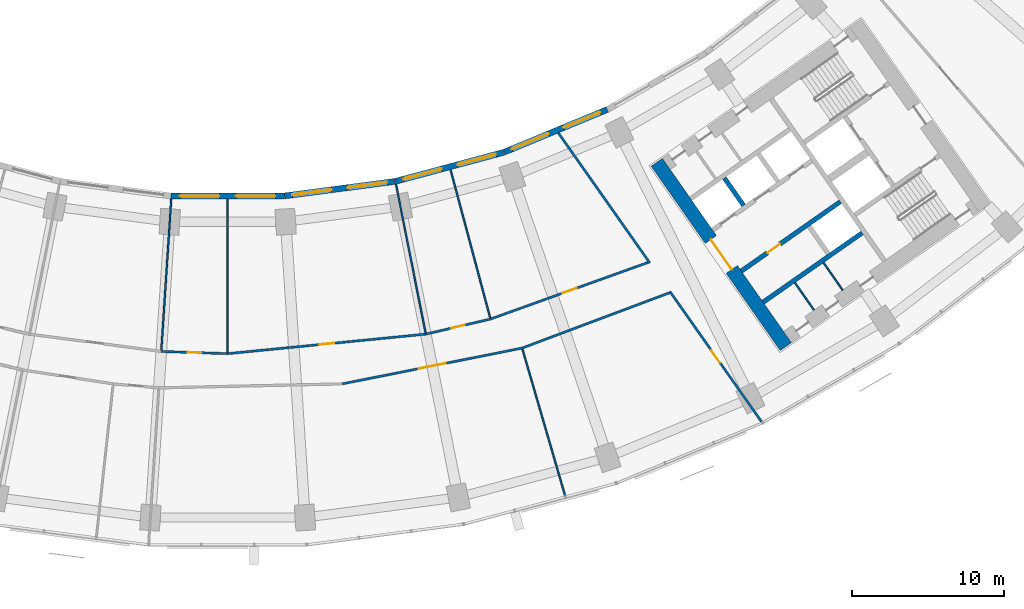
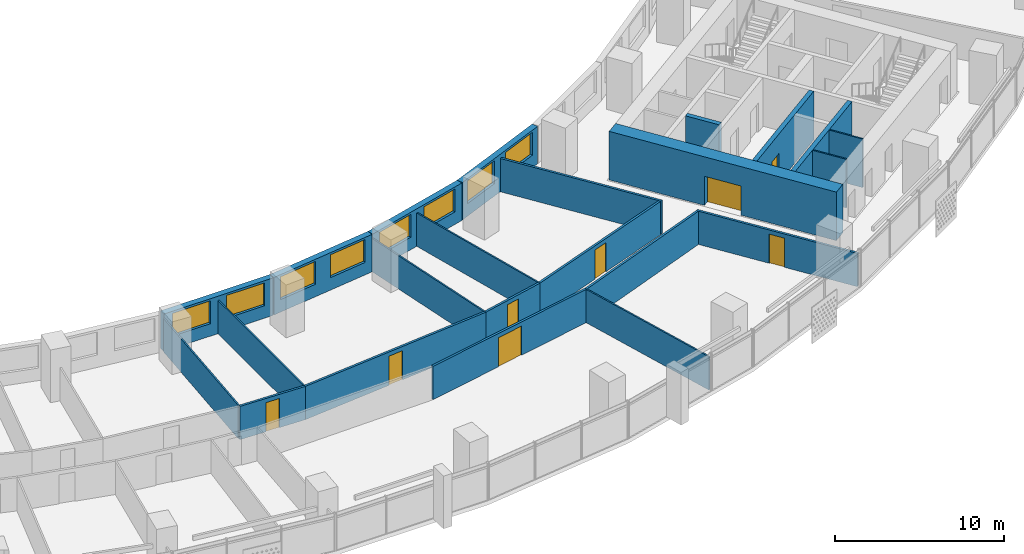
# One storey, part 6 of 29: 23 walls, 8 doors, 8 windows, 16 openings.
"""IFC4 building model written with IfcOpenShell, lengths in metres."""

from ifc_helpers import new_model, si_unit, direction, frame, frame_2d, origin, place, context, subcontext, project, spatial, rectangle, extrude, material, layer, layer_set, type_object, element, fill, save


model = new_model("IFC4")

# Units and contexts
model_context = context("Model", 3, precision=1e-05, world=origin(), true_north=direction((0.0, 1.0)))
body_context = subcontext(model_context, "Body", "Model", "MODEL_VIEW")
ifc_project = project(units=[si_unit("LENGTHUNIT", "METRE"), si_unit("AREAUNIT", "SQUARE_METRE"), si_unit("VOLUMEUNIT", "CUBIC_METRE"), si_unit("PLANEANGLEUNIT", "RADIAN"), si_unit("MASSUNIT", "GRAM", prefix="KILO")], contexts=[model_context])

# Site, building, storey
site_placement = place(None, origin())
site = spatial("IfcSite", under=ifc_project, at=site_placement, CompositionType="ELEMENT")
building_placement = place(site_placement, origin())
building = spatial("IfcBuilding", under=site, at=building_placement, Name="Qamariyya Broadcast Tower", CompositionType="ELEMENT")
storey_placement = place(building_placement, frame((0.0, 0.0, 44.300048828125)))
storey = spatial("IfcBuildingStorey", under=building, at=storey_placement, Name="L07", CompositionType="ELEMENT", Elevation=44.300048828125)

# Wall, opening, door
ifc_material_1 = material(Name="Concrete C70/85", Category="concrete")
ifc_layer_1 = layer(ifc_material_1, 0.89990234375)
ifc_layer_set_1 = layer_set([ifc_layer_1], Name="Core wall 900 mm Concrete C70/85")
wall_type_1 = type_object("IfcWallType", Name="Core wall 900 mm Concrete C70/85", PredefinedType="SHEAR", material=ifc_layer_set_1)
wall_1_placement = place(storey_placement, frame((36.716796875, -66.3369140625, 0.0), z_axis=(0.0, 0.0, 1.0), x_axis=(-0.573577477574, 0.819151315216, 0.0)))
wall_1 = element("IfcWall", 1, at=wall_1_placement, inside=storey, type_object=wall_type_1, Name="k-E-L07-WA", PredefinedType="SHEAR", context=body_context, shape_type="SweptSolid", body=[
    extrude(rectangle(XDim=14.800048828125, YDim=0.89990234375, at=frame_2d((7.39990234375, 0.0))), origin(), (0.0, 0.0, 1.0), 3.5),
])
opening_1_placement = place(wall_1_placement, frame((6.199951171875, 0.0, 0.0)))
opening_1 = element("IfcOpeningElement", 2, at=opening_1_placement, cuts=wall_1, Name="Opening KD3-E1", PredefinedType="OPENING", context=body_context, shape_type="SweptSolid", body=[
    extrude(rectangle(XDim=2.39990234375, YDim=2.10009765625, at=frame_2d((1.199951171875, 1.050048828125))), frame((0.0, 0.4599609375, 0.0), z_axis=(0.0, -1.0, 0.0), x_axis=(1.0, 0.0, 0.0)), (0.0, 0.0, 1.0), 0.919921875),
])
ifc_material_2 = material(Name="Steel fire-resisting door leaf", Category="steel")
door_type_1 = type_object("IfcDoorType", Name="Lift lobby door KD3", OperationType="DOUBLE_DOOR_SINGLE_SWING", PredefinedType="DOOR", material=ifc_material_2)
door_1_placement = place(opening_1_placement, origin())
door_1 = element("IfcDoor", 3, at=door_1_placement, inside=storey, type_object=door_type_1, Name="k-E-L07-WA-D1", OperationType="DOUBLE_DOOR_SINGLE_SWING", OverallHeight=2.10009765625, OverallWidth=2.39990234375, PredefinedType="DOOR", context=body_context, shape_type="SweptSolid", body=[
    extrude(rectangle(XDim=2.39990234375, YDim=2.10009765625, at=frame_2d((1.199951171875, 1.050048828125))), frame((0.0, 0.02490234375, 0.0), z_axis=(0.0, -1.0, 0.0), x_axis=(1.0, 0.0, 0.0)), (0.0, 0.0, 1.0), 0.050048828125),
])
fill(opening_1, door_1)

ifc_material_3 = material(Name="Gypsum board partition")
ifc_layer_2 = layer(ifc_material_3, 0.14990234375)
ifc_layer_set_2 = layer_set([ifc_layer_2], Name="Corridor partition 150 EI 60")
wall_type_2 = type_object("IfcWallType", Name="Corridor partition 150 EI 60", PredefinedType="PARTITIONING", material=ifc_layer_set_2)
wall_2_placement = place(storey_placement, frame((-4.368896484375, -66.656982421875, 0.0), z_axis=(0.0, 0.0, 1.0), x_axis=(0.99946426167, -0.03272903366, 0.0)))
wall_2 = element("IfcWall", 4, at=wall_2_placement, inside=storey, type_object=wall_type_2, Name="Partition L07-020", PredefinedType="PARTITIONING", context=body_context, shape_type="SweptSolid", body=[
    extrude(rectangle(XDim=4.371337890625, YDim=0.14990234375, at=frame_2d((2.185546875, 0.0))), origin(), (0.0, 0.0, 1.0), 2.39990234375),
])
opening_2_placement = place(wall_2_placement, frame((1.735595703125, 0.0, 0.0)))
opening_2 = element("IfcOpeningElement", 5, at=opening_2_placement, cuts=wall_2, Name="Opening L07-D11", PredefinedType="OPENING", context=body_context, shape_type="SweptSolid", body=[
    extrude(rectangle(XDim=0.89990234375, YDim=2.10009765625, at=frame_2d((0.449951171875, 1.050048828125))), frame((0.0, 0.0849609375, 0.0), z_axis=(0.0, -1.0, 0.0), x_axis=(1.0, 0.0, 0.0)), (0.0, 0.0, 1.0), 0.169921875),
])
ifc_material_4 = material(Name="Timber fire door leaf", Category="wood")
door_type_2 = type_object("IfcDoorType", Name="Fire door 900 x 2100 FD60", OperationType="NOTDEFINED", PredefinedType="DOOR", material=ifc_material_4)
door_2_placement = place(opening_2_placement, origin())
door_2 = element("IfcDoor", 6, at=door_2_placement, inside=storey, type_object=door_type_2, Name="Door L07-D11", OperationType="SINGLE_SWING_RIGHT", OverallHeight=2.10009765625, OverallWidth=0.89990234375, PredefinedType="DOOR", context=body_context, shape_type="SweptSolid", body=[
    extrude(rectangle(XDim=0.89990234375, YDim=2.10009765625, at=frame_2d((0.449951171875, 1.050048828125))), frame((0.0, 0.02490234375, 0.0), z_axis=(0.0, -1.0, 0.0), x_axis=(1.0, 0.0, 0.0)), (0.0, 0.0, 1.0), 0.050048828125),
])
fill(opening_2, door_2)

wall_3_placement = place(storey_placement, frame((0.0, -66.800048828125, 0.0), z_axis=(0.0, 0.0, 1.0), x_axis=(0.995183585648, 0.098028724655, 0.0)))
wall_3 = element("IfcWall", 7, at=wall_3_placement, inside=storey, type_object=wall_type_2, Name="Partition L07-022", PredefinedType="PARTITIONING", context=body_context, shape_type="SweptSolid", body=[
    extrude(rectangle(XDim=13.094970703125, YDim=0.14990234375, at=frame_2d((6.54736328125, 0.0))), origin(), (0.0, 0.0, 1.0), 2.39990234375),
])
opening_3_placement = place(wall_3_placement, frame((6.047607421875, 0.0, 0.0)))
opening_3 = element("IfcOpeningElement", 8, at=opening_3_placement, cuts=wall_3, Name="Opening L07-D12", PredefinedType="OPENING", context=body_context, shape_type="SweptSolid", body=[
    extrude(rectangle(XDim=1.0, YDim=2.10009765625, at=frame_2d((0.5, 1.050048828125))), frame((0.0, 0.0849609375, 0.0), z_axis=(0.0, -1.0, 0.0), x_axis=(1.0, 0.0, 0.0)), (0.0, 0.0, 1.0), 0.169921875),
])
door_type_3 = type_object("IfcDoorType", Name="Fire door 1000 x 2100 FD60", OperationType="NOTDEFINED", PredefinedType="DOOR", material=ifc_material_4)
door_3_placement = place(opening_3_placement, origin())
door_3 = element("IfcDoor", 9, at=door_3_placement, inside=storey, type_object=door_type_3, Name="Door L07-D12", OperationType="SINGLE_SWING_RIGHT", OverallHeight=2.10009765625, OverallWidth=1.0, PredefinedType="DOOR", context=body_context, shape_type="SweptSolid", body=[
    extrude(rectangle(XDim=1.0, YDim=2.10009765625, at=frame_2d((0.5, 1.050048828125))), frame((0.0, 0.02490234375, 0.0), z_axis=(0.0, -1.0, 0.0), x_axis=(1.0, 0.0, 0.0)), (0.0, 0.0, 1.0), 0.050048828125),
])
fill(opening_3, door_3)

wall_4_placement = place(storey_placement, frame((19.365966796875, -66.434814453125, 0.0), z_axis=(0.0, 0.0, 1.0), x_axis=(-0.9807826476, -0.195103557544, 0.0)))
wall_4 = element("IfcWall", 10, at=wall_4_placement, inside=storey, type_object=wall_type_2, Name="Partition L07-024", PredefinedType="PARTITIONING", context=body_context, shape_type="SweptSolid", body=[
    extrude(rectangle(XDim=12.056640625, YDim=0.14990234375, at=frame_2d((6.0283203125, 0.0))), origin(), (0.0, 0.0, 1.0), 2.39990234375),
])
opening_4_placement = place(wall_4_placement, frame((5.12841796875, 0.0, 0.0)))
opening_4 = element("IfcOpeningElement", 11, at=opening_4_placement, cuts=wall_4, Name="Opening L07-D06", PredefinedType="OPENING", context=body_context, shape_type="SweptSolid", body=[
    extrude(rectangle(XDim=1.800048828125, YDim=2.10009765625, at=frame_2d((0.89990234375, 1.050048828125))), frame((0.0, 0.0849609375, 0.0), z_axis=(0.0, -1.0, 0.0), x_axis=(1.0, 0.0, 0.0)), (0.0, 0.0, 1.0), 0.169921875),
])
door_type_4 = type_object("IfcDoorType", Name="Double fire door 1800 x 2100 FD60", OperationType="NOTDEFINED", PredefinedType="DOOR", material=ifc_material_4)
door_4_placement = place(opening_4_placement, origin())
door_4 = element("IfcDoor", 12, at=door_4_placement, inside=storey, type_object=door_type_4, Name="Door L07-D06", OperationType="DOUBLE_DOOR_SINGLE_SWING", OverallHeight=2.10009765625, OverallWidth=1.800048828125, PredefinedType="DOOR", context=body_context, shape_type="SweptSolid", body=[
    extrude(rectangle(XDim=1.800048828125, YDim=2.10009765625, at=frame_2d((0.89990234375, 1.050048828125))), frame((0.0, 0.02490234375, 0.0), z_axis=(0.0, -1.0, 0.0), x_axis=(1.0, 0.0, 0.0)), (0.0, 0.0, 1.0), 0.050048828125),
])
fill(opening_4, door_4)

wall_5_placement = place(storey_placement, frame((13.031982421875, -65.516357421875, 0.0), z_axis=(0.0, 0.0, 1.0), x_axis=(0.973886095728, 0.227037161159, 0.0)))
wall_5 = element("IfcWall", 13, at=wall_5_placement, inside=storey, type_object=wall_type_2, Name="Partition L07-026", PredefinedType="PARTITIONING", context=body_context, shape_type="SweptSolid", body=[
    extrude(rectangle(XDim=4.371337890625, YDim=0.14990234375, at=frame_2d((2.185546875, 0.0))), origin(), (0.0, 0.0, 1.0), 2.39990234375),
])
opening_5_placement = place(wall_5_placement, frame((1.735595703125, 0.0, 0.0)))
opening_5 = element("IfcOpeningElement", 14, at=opening_5_placement, cuts=wall_5, Name="Opening L07-D13", PredefinedType="OPENING", context=body_context, shape_type="SweptSolid", body=[
    extrude(rectangle(XDim=0.89990234375, YDim=2.10009765625, at=frame_2d((0.449951171875, 1.050048828125))), frame((0.0, 0.0849609375, 0.0), z_axis=(0.0, -1.0, 0.0), x_axis=(1.0, 0.0, 0.0)), (0.0, 0.0, 1.0), 0.169921875),
])
door_5_placement = place(opening_5_placement, origin())
door_5 = element("IfcDoor", 15, at=door_5_placement, inside=storey, type_object=door_type_2, Name="Door L07-D13", OperationType="SINGLE_SWING_RIGHT", OverallHeight=2.10009765625, OverallWidth=0.89990234375, PredefinedType="DOOR", context=body_context, shape_type="SweptSolid", body=[
    extrude(rectangle(XDim=0.89990234375, YDim=2.10009765625, at=frame_2d((0.449951171875, 1.050048828125))), frame((0.0, 0.02490234375, 0.0), z_axis=(0.0, -1.0, 0.0), x_axis=(1.0, 0.0, 0.0)), (0.0, 0.0, 1.0), 0.050048828125),
])
fill(opening_5, door_5)

wall_6_placement = place(storey_placement, frame((17.2890625, -64.52392578125, 0.0), z_axis=(0.0, 0.0, 1.0), x_axis=(0.941106453562, 0.338110400705, 0.0)))
wall_6 = element("IfcWall", 16, at=wall_6_placement, inside=storey, type_object=wall_type_2, Name="Partition L07-028", PredefinedType="PARTITIONING", context=body_context, shape_type="SweptSolid", body=[
    extrude(rectangle(XDim=11.015869140625, YDim=0.14990234375, at=frame_2d((5.5078125, 0.0))), origin(), (0.0, 0.0, 1.0), 2.39990234375),
])
opening_6_placement = place(wall_6_placement, frame((5.008056640625, 0.0, 0.0)))
opening_6 = element("IfcOpeningElement", 17, at=opening_6_placement, cuts=wall_6, Name="Opening L07-D14", PredefinedType="OPENING", context=body_context, shape_type="SweptSolid", body=[
    extrude(rectangle(XDim=1.0, YDim=2.10009765625, at=frame_2d((0.5, 1.050048828125))), frame((0.0, 0.0849609375, 0.0), z_axis=(0.0, -1.0, 0.0), x_axis=(1.0, 0.0, 0.0)), (0.0, 0.0, 1.0), 0.169921875),
])
door_6_placement = place(opening_6_placement, origin())
door_6 = element("IfcDoor", 18, at=door_6_placement, inside=storey, type_object=door_type_3, Name="Door L07-D14", OperationType="SINGLE_SWING_RIGHT", OverallHeight=2.10009765625, OverallWidth=1.0, PredefinedType="DOOR", context=body_context, shape_type="SweptSolid", body=[
    extrude(rectangle(XDim=1.0, YDim=2.10009765625, at=frame_2d((0.5, 1.050048828125))), frame((0.0, 0.02490234375, 0.0), z_axis=(0.0, -1.0, 0.0), x_axis=(1.0, 0.0, 0.0)), (0.0, 0.0, 1.0), 0.050048828125),
])
fill(opening_6, door_6)

# Walls
wall_7_placement = place(storey_placement, frame((19.365966796875, -66.434814453125, 0.0), z_axis=(0.0, 0.0, 1.0), x_axis=(0.936222555766, 0.351407635197, 0.0)))
element("IfcWall", 19, at=wall_7_placement, inside=storey, type_object=wall_type_2, Name="Partition L07-029", PredefinedType="PARTITIONING", context=body_context, shape_type="SweptSolid", body=[
    extrude(rectangle(XDim=10.355224609375, YDim=0.14990234375, at=frame_2d((5.177734375, 0.0))), origin(), (0.0, 0.0, 1.0), 2.39990234375),
])
wall_8_placement = place(storey_placement, frame((21.748291015625, -52.2763671875, 0.0), z_axis=(0.0, 0.0, 1.0), x_axis=(0.575419434668, -0.817858468322, 0.0)))
element("IfcWall", 20, at=wall_8_placement, inside=storey, type_object=wall_type_2, Name="Partition L07-030", PredefinedType="PARTITIONING", context=body_context, shape_type="SweptSolid", body=[
    extrude(rectangle(XDim=10.46484375, YDim=0.14990234375, at=frame_2d((5.232421875, 0.0))), origin(), (0.0, 0.0, 1.0), 2.39990234375),
])

# Wall, opening, door
wall_9_placement = place(storey_placement, frame((35.11328125, -71.2724609375, 0.0), z_axis=(0.0, 0.0, 1.0), x_axis=(-0.575411972256, 0.817863718589, 0.0)))
wall_9 = element("IfcWall", 21, at=wall_9_placement, inside=storey, type_object=wall_type_2, Name="Partition L07-032", PredefinedType="PARTITIONING", context=body_context, shape_type="SweptSolid", body=[
    extrude(rectangle(XDim=10.471435546875, YDim=0.14990234375, at=frame_2d((5.23583984375, 0.0))), origin(), (0.0, 0.0, 1.0), 2.39990234375),
])
opening_7_placement = place(wall_9_placement, frame((4.735595703125, 0.0, 0.0)))
opening_7 = element("IfcOpeningElement", 22, at=opening_7_placement, cuts=wall_9, Name="Opening L07-D07", PredefinedType="OPENING", context=body_context, shape_type="SweptSolid", body=[
    extrude(rectangle(XDim=1.0, YDim=2.10009765625, at=frame_2d((0.5, 1.050048828125))), frame((0.0, 0.0849609375, 0.0), z_axis=(0.0, -1.0, 0.0), x_axis=(1.0, 0.0, 0.0)), (0.0, 0.0, 1.0), 0.169921875),
])
door_7_placement = place(opening_7_placement, origin())
door_7 = element("IfcDoor", 23, at=door_7_placement, inside=storey, type_object=door_type_3, Name="Door L07-D07", OperationType="SINGLE_SWING_RIGHT", OverallHeight=2.10009765625, OverallWidth=1.0, PredefinedType="DOOR", context=body_context, shape_type="SweptSolid", body=[
    extrude(rectangle(XDim=1.0, YDim=2.10009765625, at=frame_2d((0.5, 1.050048828125))), frame((0.0, 0.02490234375, 0.0), z_axis=(0.0, -1.0, 0.0), x_axis=(1.0, 0.0, 0.0)), (0.0, 0.0, 1.0), 0.050048828125),
])
fill(opening_7, door_7)

# Wall
ifc_material_5 = material(Name="Concrete C60/75", Category="concrete")
ifc_layer_3 = layer(ifc_material_5, 0.300048828125)
ifc_layer_set_3 = layer_set([ifc_layer_3], Name="Lift shaft wall 300 mm Concrete C60/75")
wall_type_3 = type_object("IfcWallType", Name="Lift shaft wall 300 mm Concrete C60/75", PredefinedType="SOLIDWALL", material=ifc_layer_set_3)
wall_10_placement = place(storey_placement, frame((33.9384765625, -57.051513671875, 0.0), z_axis=(0.0, 0.0, 1.0), x_axis=(-0.573581496053, 0.819148501424, 0.0)))
element("IfcWall", 24, at=wall_10_placement, inside=storey, type_object=wall_type_3, Name="k-E-L07-ND0", PredefinedType="SOLIDWALL", context=body_context, shape_type="SweptSolid", body=[
    extrude(rectangle(XDim=2.2001953125, YDim=0.300048828125, at=frame_2d((1.10009765625, 0.0))), origin(), (0.0, 0.0, 1.0), 3.5),
])

# Wall, opening, door
wall_11_placement = place(storey_placement, frame((33.787353515625, -61.368896484375, 0.0), z_axis=(0.0, 0.0, 1.0), x_axis=(0.819152564888, 0.573575692858, 0.0)))
wall_11 = element("IfcWall", 25, at=wall_11_placement, inside=storey, type_object=wall_type_3, Name="k-E-L07-SF0", PredefinedType="SOLIDWALL", context=body_context, shape_type="SweptSolid", body=[
    extrude(rectangle(XDim=7.9501953125, YDim=0.300048828125, at=frame_2d((3.97509765625, 0.0))), origin(), (0.0, 0.0, 1.0), 3.5),
])
opening_8_placement = place(wall_11_placement, frame((2.10009765625, 0.0, 0.0)))
opening_8 = element("IfcOpeningElement", 26, at=opening_8_placement, cuts=wall_11, Name="Opening KD6-E1", PredefinedType="OPENING", context=body_context, shape_type="SweptSolid", body=[
    extrude(rectangle(XDim=1.0, YDim=2.10009765625, at=frame_2d((0.5, 1.050048828125))), frame((0.0, 0.159912109375, 0.0), z_axis=(0.0, -1.0, 0.0), x_axis=(1.0, 0.0, 0.0)), (0.0, 0.0, 1.0), 0.320068359375),
])
door_type_5 = type_object("IfcDoorType", Name="Core room door KD6", OperationType="SINGLE_SWING_LEFT", PredefinedType="DOOR", material=ifc_material_2)
door_8_placement = place(opening_8_placement, origin())
door_8 = element("IfcDoor", 27, at=door_8_placement, inside=storey, type_object=door_type_5, Name="k-E-L07-SF0-D5", OperationType="SINGLE_SWING_LEFT", OverallHeight=2.10009765625, OverallWidth=1.0, PredefinedType="DOOR", context=body_context, shape_type="SweptSolid", body=[
    extrude(rectangle(XDim=1.0, YDim=2.10009765625, at=frame_2d((0.5, 1.050048828125))), frame((0.0, 0.02490234375, 0.0), z_axis=(0.0, -1.0, 0.0), x_axis=(1.0, 0.0, 0.0)), (0.0, 0.0, 1.0), 0.050048828125),
])
fill(opening_8, door_8)

# Walls
wall_12_placement = place(storey_placement, frame((35.22119140625, -63.41650390625, 0.0), z_axis=(0.0, 0.0, 1.0), x_axis=(0.819166993208, 0.573555086491, 0.0)))
element("IfcWall", 28, at=wall_12_placement, inside=storey, type_object=wall_type_3, Name="k-E-L07-SB0", PredefinedType="SOLIDWALL", context=body_context, shape_type="SweptSolid", body=[
    extrude(rectangle(XDim=7.9501953125, YDim=0.300048828125, at=frame_2d((3.97509765625, 0.0))), origin(), (0.0, 0.0, 1.0), 3.5),
])
ifc_layer_4 = layer(ifc_material_3, 0.10009765625)
ifc_layer_set_4 = layer_set([ifc_layer_4], Name="Partition 100")
wall_type_4 = type_object("IfcWallType", Name="Partition 100", PredefinedType="PARTITIONING", material=ifc_layer_set_4)
wall_13_placement = place(storey_placement, frame((-3.711669921875, -56.62841796875, 0.0), z_axis=(0.0, 0.0, 1.0), x_axis=(-0.06539808502, -0.997859253841, 0.0)))
element("IfcWall", 29, at=wall_13_placement, inside=storey, type_object=wall_type_4, Name="Partition L07-021", PredefinedType="PARTITIONING", context=body_context, shape_type="SweptSolid", body=[
    extrude(rectangle(XDim=9.974853515625, YDim=0.10009765625, at=frame_2d((4.9873046875, 0.0))), origin(), (0.0, 0.0, 1.0), 2.39990234375),
])
wall_14_placement = place(storey_placement, frame((0.0, -56.62939453125, 0.0), z_axis=(0.0, 0.0, 1.0), x_axis=(0.0, -1.0, 0.0)))
element("IfcWall", 30, at=wall_14_placement, inside=storey, type_object=wall_type_4, Name="Partition L07-023", PredefinedType="PARTITIONING", context=body_context, shape_type="SweptSolid", body=[
    extrude(rectangle(XDim=10.095703125, YDim=0.10009765625, at=frame_2d((5.0478515625, 0.0))), origin(), (0.0, 0.0, 1.0), 2.39990234375),
])
wall_15_placement = place(storey_placement, frame((11.0712890625, -55.65966796875, 0.0), z_axis=(0.0, 0.0, 1.0), x_axis=(0.195094645032, -0.980784420492, 0.0)))
element("IfcWall", 31, at=wall_15_placement, inside=storey, type_object=wall_type_4, Name="Partition L07-025", PredefinedType="PARTITIONING", context=body_context, shape_type="SweptSolid", body=[
    extrude(rectangle(XDim=9.974853515625, YDim=0.10009765625, at=frame_2d((4.9873046875, 0.0))), origin(), (0.0, 0.0, 1.0), 2.39990234375),
])
wall_16_placement = place(storey_placement, frame((14.65673828125, -54.69970703125, 0.0), z_axis=(0.0, 0.0, 1.0), x_axis=(0.258825935876, -0.965923979885, 0.0)))
element("IfcWall", 32, at=wall_16_placement, inside=storey, type_object=wall_type_4, Name="Partition L07-027", PredefinedType="PARTITIONING", context=body_context, shape_type="SweptSolid", body=[
    extrude(rectangle(XDim=10.095703125, YDim=0.10009765625, at=frame_2d((5.0478515625, 0.0))), origin(), (0.0, 0.0, 1.0), 2.39990234375),
])
wall_17_placement = place(storey_placement, frame((22.192138671875, -76.1298828125, 0.0), z_axis=(0.0, 0.0, 1.0), x_axis=(-0.279857832074, 0.960041454223, 0.0)))
element("IfcWall", 33, at=wall_17_placement, inside=storey, type_object=wall_type_4, Name="Partition L07-031", PredefinedType="PARTITIONING", context=body_context, shape_type="SweptSolid", body=[
    extrude(rectangle(XDim=10.023681640625, YDim=0.10009765625, at=frame_2d((5.01171875, 0.0))), origin(), (0.0, 0.0, 1.0), 2.39990234375),
])
ifc_material_6 = material(Name="Fire-rated gypsum shaft liner on steel studs", Category="steel")
ifc_layer_5 = layer(ifc_material_6, 0.10009765625)
ifc_layer_set_5 = layer_set([ifc_layer_5], Name="Riser wall 100 mm")
wall_type_5 = type_object("IfcWallType", Name="Riser wall 100 mm", PredefinedType="PLUMBINGWALL", material=ifc_layer_set_5)
wall_18_placement = place(storey_placement, frame((37.314208984375, -62.13427734375, 0.0), z_axis=(0.0, 0.0, 1.0), x_axis=(0.573633636671, -0.819111989218, 0.0)))
element("IfcWall", 34, at=wall_18_placement, inside=storey, type_object=wall_type_5, Name="k-E-L07-SP245", PredefinedType="PLUMBINGWALL", context=body_context, shape_type="SweptSolid", body=[
    extrude(rectangle(XDim=2.199951171875, YDim=0.10009765625, at=frame_2d((1.10009765625, 0.0))), origin(), (0.0, 0.0, 1.0), 3.5),
])
wall_19_placement = place(storey_placement, frame((39.1982421875, -60.81494140625, 0.0), z_axis=(0.0, 0.0, 1.0), x_axis=(0.573581496053, -0.819148501424, 0.0)))
element("IfcWall", 35, at=wall_19_placement, inside=storey, type_object=wall_type_5, Name="k-E-L07-SP475", PredefinedType="PLUMBINGWALL", context=body_context, shape_type="SweptSolid", body=[
    extrude(rectangle(XDim=2.2001953125, YDim=0.10009765625, at=frame_2d((1.10009765625, 0.0))), origin(), (0.0, 0.0, 1.0), 3.5),
])

# Wall, openings, windows
ifc_material_7 = material(Name="Terracotta", Category="masonry")
ifc_layer_6 = layer(ifc_material_7, 0.39990234375)
ifc_layer_set_6 = layer_set([ifc_layer_6], Name="Terracotta clad wall 400")
wall_type_6 = type_object("IfcWallType", Name="Terracotta clad wall 400", PredefinedType="SOLIDWALL", material=ifc_layer_set_6)
wall_20_placement = place(storey_placement, frame((18.20166015625, -53.542724609375, 0.0), z_axis=(0.0, 0.0, 1.0), x_axis=(-0.965924637935, -0.25882348006, 0.0)))
wall_20 = element("IfcWall", 36, at=wall_20_placement, inside=storey, type_object=wall_type_6, Name="e-wl-L07-in100", PredefinedType="SOLIDWALL", context=body_context, shape_type="SweptSolid", body=[
    extrude(rectangle(XDim=7.447021484375, YDim=0.39990234375, at=frame_2d((3.7236328125, 0.0))), origin(), (0.0, 0.0, 1.0), 2.699951171875),
])
opening_9_placement = place(wall_20_placement, frame((4.266357421875, 0.0, 0.89990234375)))
opening_9 = element("IfcOpeningElement", 37, at=opening_9_placement, cuts=wall_20, Name="Opening W1", PredefinedType="OPENING", context=body_context, shape_type="SweptSolid", body=[
    extrude(rectangle(XDim=2.60009765625, YDim=1.64990234375, at=frame_2d((1.300048828125, 0.824951171875))), frame((0.0, 0.2099609375, 0.0), z_axis=(0.0, -1.0, 0.0), x_axis=(1.0, 0.0, 0.0)), (0.0, 0.0, 1.0), 0.419921875),
])
opening_10_placement = place(wall_20_placement, frame((0.580810546875, 0.0, 0.89990234375)))
opening_10 = element("IfcOpeningElement", 38, at=opening_10_placement, cuts=wall_20, Name="Opening W1", PredefinedType="OPENING", context=body_context, shape_type="SweptSolid", body=[
    extrude(rectangle(XDim=2.60009765625, YDim=1.64990234375, at=frame_2d((1.300048828125, 0.824951171875))), frame((0.0, 0.2099609375, 0.0), z_axis=(0.0, -1.0, 0.0), x_axis=(1.0, 0.0, 0.0)), (0.0, 0.0, 1.0), 0.419921875),
])
ifc_material_8 = material(Name="Clear low-e double glazed unit in aluminium frame", Category="aluminium")
window_type = type_object("IfcWindowType", Name="Ribbon window 2600 x 1650", PartitioningType="SINGLE_PANEL", PredefinedType="WINDOW", material=ifc_material_8)
window_1_placement = place(opening_9_placement, origin())
window_1 = element("IfcWindow", 39, at=window_1_placement, inside=storey, type_object=window_type, Name="e-w-L07-in10-0", OverallHeight=1.64990234375, OverallWidth=2.60009765625, PartitioningType="SINGLE_PANEL", PredefinedType="WINDOW", context=body_context, shape_type="SweptSolid", body=[
    extrude(rectangle(XDim=2.60009765625, YDim=1.64990234375, at=frame_2d((1.300048828125, 0.824951171875))), frame((0.0, 0.030029296875, 0.0), z_axis=(0.0, -1.0, 0.0), x_axis=(1.0, 0.0, 0.0)), (0.0, 0.0, 1.0), 0.06005859375),
])
fill(opening_9, window_1)
window_2_placement = place(opening_10_placement, origin())
window_2 = element("IfcWindow", 40, at=window_2_placement, inside=storey, type_object=window_type, Name="e-w-L07-in10-1", OverallHeight=1.64990234375, OverallWidth=2.60009765625, PartitioningType="SINGLE_PANEL", PredefinedType="WINDOW", context=body_context, shape_type="SweptSolid", body=[
    extrude(rectangle(XDim=2.60009765625, YDim=1.64990234375, at=frame_2d((1.300048828125, 0.824951171875))), frame((0.0, 0.030029296875, 0.0), z_axis=(0.0, -1.0, 0.0), x_axis=(1.0, 0.0, 0.0)), (0.0, 0.0, 1.0), 0.06005859375),
])
fill(opening_10, window_2)

wall_21_placement = place(storey_placement, frame((24.96484375, -50.738037109375, 0.0), z_axis=(0.0, 0.0, 1.0), x_axis=(-0.923891626322, -0.382654234018, 0.0)))
wall_21 = element("IfcWall", 41, at=wall_21_placement, inside=storey, type_object=wall_type_6, Name="e-wl-L07-in110", PredefinedType="SOLIDWALL", context=body_context, shape_type="SweptSolid", body=[
    extrude(rectangle(XDim=7.295654296875, YDim=0.39990234375, at=frame_2d((3.64794921875, 0.0))), origin(), (0.0, 0.0, 1.0), 2.699951171875),
])
opening_11_placement = place(wall_21_placement, frame((4.190673828125, 0.0, 0.89990234375)))
opening_11 = element("IfcOpeningElement", 42, at=opening_11_placement, cuts=wall_21, Name="Opening W1", PredefinedType="OPENING", context=body_context, shape_type="SweptSolid", body=[
    extrude(rectangle(XDim=2.60009765625, YDim=1.64990234375, at=frame_2d((1.300048828125, 0.824951171875))), frame((0.0, 0.2099609375, 0.0), z_axis=(0.0, -1.0, 0.0), x_axis=(1.0, 0.0, 0.0)), (0.0, 0.0, 1.0), 0.419921875),
])
opening_12_placement = place(wall_21_placement, frame((0.505126953125, 0.0, 0.89990234375)))
opening_12 = element("IfcOpeningElement", 43, at=opening_12_placement, cuts=wall_21, Name="Opening W1", PredefinedType="OPENING", context=body_context, shape_type="SweptSolid", body=[
    extrude(rectangle(XDim=2.60009765625, YDim=1.64990234375, at=frame_2d((1.300048828125, 0.824951171875))), frame((0.0, 0.2099609375, 0.0), z_axis=(0.0, -1.0, 0.0), x_axis=(1.0, 0.0, 0.0)), (0.0, 0.0, 1.0), 0.419921875),
])
window_3_placement = place(opening_11_placement, origin())
window_3 = element("IfcWindow", 44, at=window_3_placement, inside=storey, type_object=window_type, Name="e-w-L07-in11-0", OverallHeight=1.64990234375, OverallWidth=2.60009765625, PartitioningType="SINGLE_PANEL", PredefinedType="WINDOW", context=body_context, shape_type="SweptSolid", body=[
    extrude(rectangle(XDim=2.60009765625, YDim=1.64990234375, at=frame_2d((1.300048828125, 0.824951171875))), frame((0.0, 0.030029296875, 0.0), z_axis=(0.0, -1.0, 0.0), x_axis=(1.0, 0.0, 0.0)), (0.0, 0.0, 1.0), 0.06005859375),
])
fill(opening_11, window_3)
window_4_placement = place(opening_12_placement, origin())
window_4 = element("IfcWindow", 45, at=window_4_placement, inside=storey, type_object=window_type, Name="e-w-L07-in11-1", OverallHeight=1.64990234375, OverallWidth=2.60009765625, PartitioningType="SINGLE_PANEL", PredefinedType="WINDOW", context=body_context, shape_type="SweptSolid", body=[
    extrude(rectangle(XDim=2.60009765625, YDim=1.64990234375, at=frame_2d((1.300048828125, 0.824951171875))), frame((0.0, 0.030029296875, 0.0), z_axis=(0.0, -1.0, 0.0), x_axis=(1.0, 0.0, 0.0)), (0.0, 0.0, 1.0), 0.06005859375),
])
fill(opening_12, window_4)

wall_22_placement = place(storey_placement, frame((3.7236328125, -56.429443359375, 0.0), z_axis=(0.0, 0.0, 1.0), x_axis=(-1.0, 0.0, 0.0)))
wall_22 = element("IfcWall", 46, at=wall_22_placement, inside=storey, type_object=wall_type_6, Name="e-wl-L07-in80", PredefinedType="SOLIDWALL", context=body_context, shape_type="SweptSolid", body=[
    extrude(rectangle(XDim=7.447265625, YDim=0.39990234375, at=frame_2d((3.7236328125, 0.0))), origin(), (0.0, 0.0, 1.0), 2.699951171875),
])
opening_13_placement = place(wall_22_placement, frame((4.266357421875, 0.0, 0.89990234375)))
opening_13 = element("IfcOpeningElement", 47, at=opening_13_placement, cuts=wall_22, Name="Opening W1", PredefinedType="OPENING", context=body_context, shape_type="SweptSolid", body=[
    extrude(rectangle(XDim=2.60009765625, YDim=1.64990234375, at=frame_2d((1.300048828125, 0.824951171875))), frame((0.0, 0.2099609375, 0.0), z_axis=(0.0, -1.0, 0.0), x_axis=(1.0, 0.0, 0.0)), (0.0, 0.0, 1.0), 0.419921875),
])
opening_14_placement = place(wall_22_placement, frame((0.580810546875, 0.0, 0.89990234375)))
opening_14 = element("IfcOpeningElement", 48, at=opening_14_placement, cuts=wall_22, Name="Opening W1", PredefinedType="OPENING", context=body_context, shape_type="SweptSolid", body=[
    extrude(rectangle(XDim=2.60009765625, YDim=1.64990234375, at=frame_2d((1.300048828125, 0.824951171875))), frame((0.0, 0.2099609375, 0.0), z_axis=(0.0, -1.0, 0.0), x_axis=(1.0, 0.0, 0.0)), (0.0, 0.0, 1.0), 0.419921875),
])
window_5_placement = place(opening_13_placement, origin())
window_5 = element("IfcWindow", 49, at=window_5_placement, inside=storey, type_object=window_type, Name="e-w-L07-in08-0", OverallHeight=1.64990234375, OverallWidth=2.60009765625, PartitioningType="SINGLE_PANEL", PredefinedType="WINDOW", context=body_context, shape_type="SweptSolid", body=[
    extrude(rectangle(XDim=2.60009765625, YDim=1.64990234375, at=frame_2d((1.300048828125, 0.824951171875))), frame((0.0, 0.030029296875, 0.0), z_axis=(0.0, -1.0, 0.0), x_axis=(1.0, 0.0, 0.0)), (0.0, 0.0, 1.0), 0.06005859375),
])
fill(opening_13, window_5)
window_6_placement = place(opening_14_placement, origin())
window_6 = element("IfcWindow", 50, at=window_6_placement, inside=storey, type_object=window_type, Name="e-w-L07-in08-1", OverallHeight=1.64990234375, OverallWidth=2.60009765625, PartitioningType="SINGLE_PANEL", PredefinedType="WINDOW", context=body_context, shape_type="SweptSolid", body=[
    extrude(rectangle(XDim=2.60009765625, YDim=1.64990234375, at=frame_2d((1.300048828125, 0.824951171875))), frame((0.0, 0.030029296875, 0.0), z_axis=(0.0, -1.0, 0.0), x_axis=(1.0, 0.0, 0.0)), (0.0, 0.0, 1.0), 0.06005859375),
])
fill(opening_14, window_6)

wall_23_placement = place(storey_placement, frame((10.982177734375, -55.470458984375, 0.0), z_axis=(0.0, 0.0, 1.0), x_axis=(-0.99144746031, -0.130506449818, 0.0)))
wall_23 = element("IfcWall", 51, at=wall_23_placement, inside=storey, type_object=wall_type_6, Name="e-wl-L07-in90", PredefinedType="SOLIDWALL", context=body_context, shape_type="SweptSolid", body=[
    extrude(rectangle(XDim=7.2958984375, YDim=0.39990234375, at=frame_2d((3.64794921875, 0.0))), origin(), (0.0, 0.0, 1.0), 2.699951171875),
])
opening_15_placement = place(wall_23_placement, frame((4.190673828125, 0.0, 0.89990234375)))
opening_15 = element("IfcOpeningElement", 52, at=opening_15_placement, cuts=wall_23, Name="Opening W1", PredefinedType="OPENING", context=body_context, shape_type="SweptSolid", body=[
    extrude(rectangle(XDim=2.60009765625, YDim=1.64990234375, at=frame_2d((1.300048828125, 0.824951171875))), frame((0.0, 0.2099609375, 0.0), z_axis=(0.0, -1.0, 0.0), x_axis=(1.0, 0.0, 0.0)), (0.0, 0.0, 1.0), 0.419921875),
])
opening_16_placement = place(wall_23_placement, frame((0.505126953125, 0.0, 0.89990234375)))
opening_16 = element("IfcOpeningElement", 53, at=opening_16_placement, cuts=wall_23, Name="Opening W1", PredefinedType="OPENING", context=body_context, shape_type="SweptSolid", body=[
    extrude(rectangle(XDim=2.60009765625, YDim=1.64990234375, at=frame_2d((1.300048828125, 0.824951171875))), frame((0.0, 0.2099609375, 0.0), z_axis=(0.0, -1.0, 0.0), x_axis=(1.0, 0.0, 0.0)), (0.0, 0.0, 1.0), 0.419921875),
])
window_7_placement = place(opening_15_placement, origin())
window_7 = element("IfcWindow", 54, at=window_7_placement, inside=storey, type_object=window_type, Name="e-w-L07-in09-0", OverallHeight=1.64990234375, OverallWidth=2.60009765625, PartitioningType="SINGLE_PANEL", PredefinedType="WINDOW", context=body_context, shape_type="SweptSolid", body=[
    extrude(rectangle(XDim=2.60009765625, YDim=1.64990234375, at=frame_2d((1.300048828125, 0.824951171875))), frame((0.0, 0.030029296875, 0.0), z_axis=(0.0, -1.0, 0.0), x_axis=(1.0, 0.0, 0.0)), (0.0, 0.0, 1.0), 0.06005859375),
])
fill(opening_15, window_7)
window_8_placement = place(opening_16_placement, origin())
window_8 = element("IfcWindow", 55, at=window_8_placement, inside=storey, type_object=window_type, Name="e-w-L07-in09-1", OverallHeight=1.64990234375, OverallWidth=2.60009765625, PartitioningType="SINGLE_PANEL", PredefinedType="WINDOW", context=body_context, shape_type="SweptSolid", body=[
    extrude(rectangle(XDim=2.60009765625, YDim=1.64990234375, at=frame_2d((1.300048828125, 0.824951171875))), frame((0.0, 0.030029296875, 0.0), z_axis=(0.0, -1.0, 0.0), x_axis=(1.0, 0.0, 0.0)), (0.0, 0.0, 1.0), 0.06005859375),
])
fill(opening_16, window_8)

save(model, "model.ifc")
